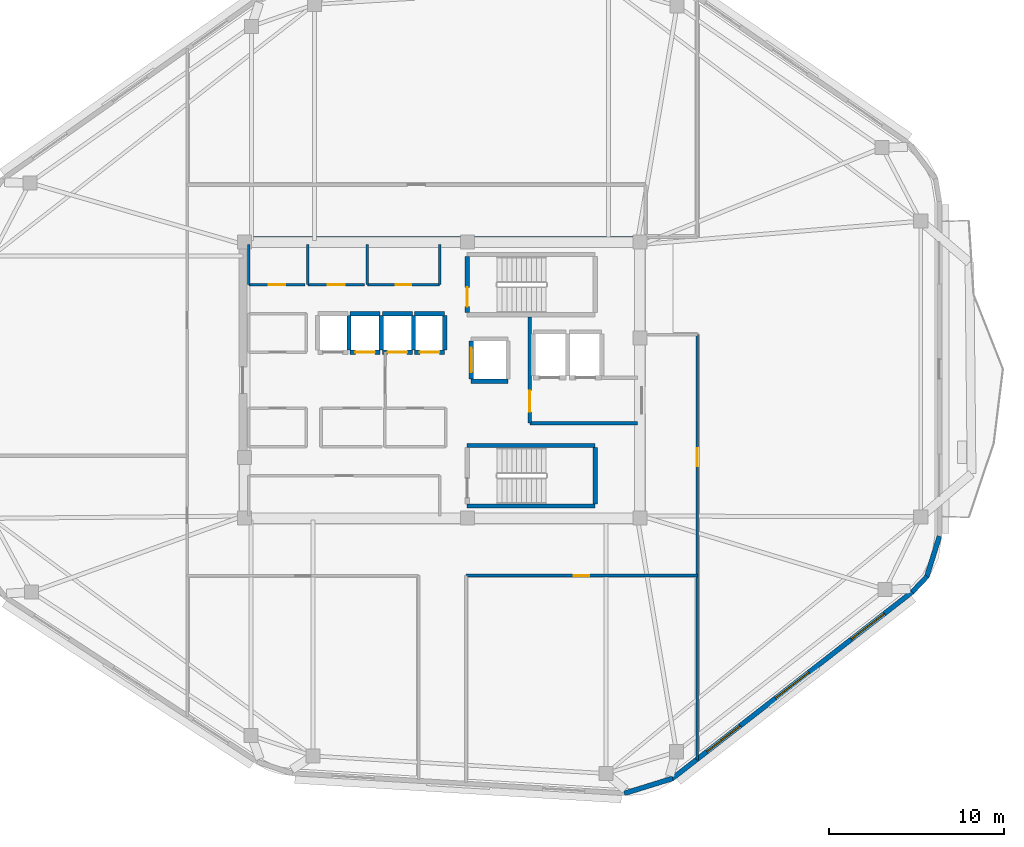
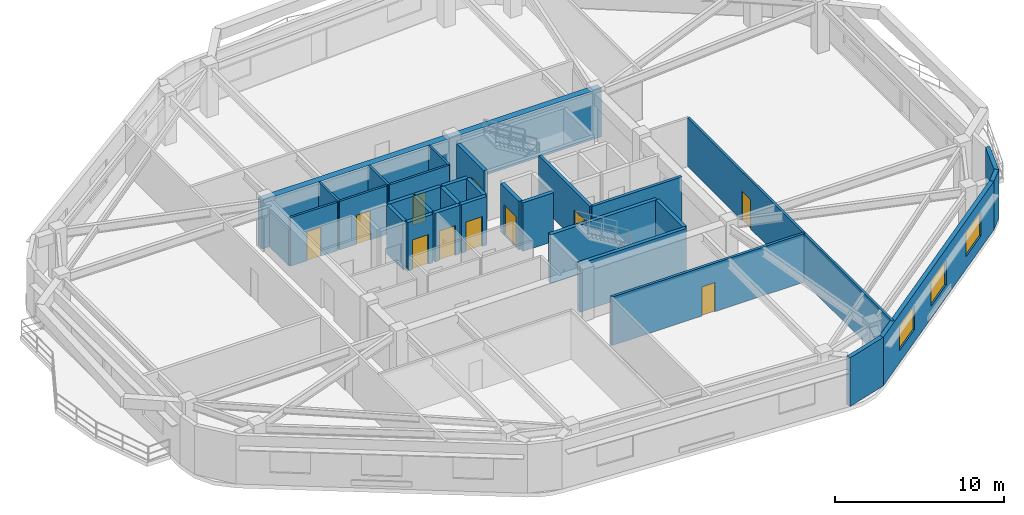
# One storey, part 4 of 9: 32 walls, 11 doors, 3 windows, 14 openings.
"""IFC4 building model written with IfcOpenShell, lengths in metres."""

from ifc_helpers import new_model, si_unit, direction, frame, frame_2d, origin, place, context, subcontext, project, spatial, rectangle, extrude, material, layer, layer_set, type_object, element, fill, save


model = new_model("IFC4")

# Units and contexts
model_context = context("Model", 3, precision=1e-05, world=origin(), true_north=direction((0.0, 1.0)))
body_context = subcontext(model_context, "Body", "Model", "MODEL_VIEW")
ifc_project = project(units=[si_unit("LENGTHUNIT", "METRE"), si_unit("AREAUNIT", "SQUARE_METRE"), si_unit("VOLUMEUNIT", "CUBIC_METRE"), si_unit("PLANEANGLEUNIT", "RADIAN"), si_unit("MASSUNIT", "GRAM", prefix="KILO")], contexts=[model_context])

# Site, building, storey
site_placement = place(None, origin())
site = spatial("IfcSite", under=ifc_project, at=site_placement, CompositionType="ELEMENT")
building_placement = place(site_placement, origin())
building = spatial("IfcBuilding", under=site, at=building_placement, Name="Zulverin Broadcast Headquarters", CompositionType="ELEMENT")
storey_placement = place(building_placement, frame((0.0, 0.0, 247.800048828125)))
storey = spatial("IfcBuildingStorey", under=building, at=storey_placement, Name="L63", CompositionType="ELEMENT", Elevation=247.800048828125)

# Wall
ifc_material_1 = material(Name="Concrete C50/60", Category="concrete")
ifc_layer_1 = layer(ifc_material_1, 0.449951171875, Name="Concrete C50/60", Category="concrete")
ifc_layer_set_1 = layer_set([ifc_layer_1], Name="Concrete C50/60")
wall_type_1 = type_object("IfcWallType", Name="WL-CORE-450", PredefinedType="SHEAR", material=ifc_layer_set_1)
wall_1_placement = place(storey_placement, frame((25.39990234375, 33.175048828125, 0.0), z_axis=(0.0, 0.0, 1.0), x_axis=(1.0, 0.0, 0.0)))
element("IfcWall", 1, at=wall_1_placement, inside=storey, type_object=wall_type_1, Name="L63 Core North Shear Wall", PredefinedType="SHEAR", context=body_context, shape_type="SweptSolid", body=[
    extrude(rectangle(XDim=23.2001953125, YDim=0.449951171875, at=frame_2d((11.60009765625, 0.0))), origin(), (0.0, 0.0, 1.0), 3.510009765625),
])

# Wall, openings, windows
ifc_material_2 = material(Name="Insulated pale-metal clad concrete spandrel C40/50", Category="concrete")
ifc_layer_2 = layer(ifc_material_2, 0.280029296875, Name="Insulated pale-metal clad concrete spandrel C40/50", Category="concrete")
ifc_layer_set_2 = layer_set([ifc_layer_2], Name="Insulated pale-metal clad concrete spandrel C40/50")
wall_type_2 = type_object("IfcWallType", Name="WL-EXT-280", PredefinedType="STANDARD", material=ifc_layer_set_2)
wall_2_placement = place(storey_placement, frame((50.10400390625, 2.458984375, 0.0), z_axis=(0.0, 0.0, 1.0), x_axis=(0.789464857485, 0.613795763097, 0.0)))
wall_2 = element("IfcWall", 2, at=wall_2_placement, inside=storey, type_object=wall_type_2, Name="L63 Pale-Metal Clad Spandrel Wall 2", PredefinedType="STANDARD", context=body_context, shape_type="SweptSolid", body=[
    extrude(rectangle(XDim=17.387451171875, YDim=0.280029296875, at=frame_2d((8.69384765625, 0.0))), origin(), (0.0, 0.0, 1.0), 3.510009765625),
])
opening_1_placement = place(wall_2_placement, frame((2.53125, 0.0, 0.89990234375)))
opening_1 = element("IfcOpeningElement", 3, at=opening_1_placement, cuts=wall_2, Name="Opening W-L63-E21", PredefinedType="OPENING", context=body_context, shape_type="SweptSolid", body=[
    extrude(rectangle(XDim=2.39990234375, YDim=1.75, at=frame_2d((1.199951171875, 0.875))), frame((0.0, 0.14990234375, 0.0), z_axis=(0.0, -1.0, 0.0), x_axis=(1.0, 0.0, 0.0)), (0.0, 0.0, 1.0), 0.300048828125),
])
opening_2_placement = place(wall_2_placement, frame((7.49365234375, 0.0, 0.89990234375)))
opening_2 = element("IfcOpeningElement", 4, at=opening_2_placement, cuts=wall_2, Name="Opening W-L63-E22", PredefinedType="OPENING", context=body_context, shape_type="SweptSolid", body=[
    extrude(rectangle(XDim=2.39990234375, YDim=1.75, at=frame_2d((1.199951171875, 0.875))), frame((0.0, 0.14990234375, 0.0), z_axis=(0.0, -1.0, 0.0), x_axis=(1.0, 0.0, 0.0)), (0.0, 0.0, 1.0), 0.300048828125),
])
opening_3_placement = place(wall_2_placement, frame((12.956298828125, 0.0, 0.89990234375)))
opening_3 = element("IfcOpeningElement", 5, at=opening_3_placement, cuts=wall_2, Name="Opening W-L63-E23", PredefinedType="OPENING", context=body_context, shape_type="SweptSolid", body=[
    extrude(rectangle(XDim=2.39990234375, YDim=1.75, at=frame_2d((1.199951171875, 0.875))), frame((0.0, 0.14990234375, 0.0), z_axis=(0.0, -1.0, 0.0), x_axis=(1.0, 0.0, 0.0)), (0.0, 0.0, 1.0), 0.300048828125),
])
ifc_material_3 = material(Name="Pale anodized aluminium frame with solar-control low-E double glazing", Category="aluminium")
window_type = type_object("IfcWindowType", Name="WIN-RIB-2400", PartitioningType="SINGLE_PANEL", PredefinedType="WINDOW", material=ifc_material_3)
window_1_placement = place(opening_1_placement, origin())
window_1 = element("IfcWindow", 6, at=window_1_placement, inside=storey, type_object=window_type, Name="L63 Ribbon Glazing Window 2 1", OverallHeight=1.75, OverallWidth=2.39990234375, PartitioningType="SINGLE_PANEL", PredefinedType="WINDOW", context=body_context, shape_type="SweptSolid", body=[
    extrude(rectangle(XDim=2.39990234375, YDim=1.75, at=frame_2d((1.199951171875, 0.875))), frame((0.0, 0.030029296875, 0.0), z_axis=(0.0, -1.0, 0.0), x_axis=(1.0, 0.0, 0.0)), (0.0, 0.0, 1.0), 0.06005859375),
])
fill(opening_1, window_1)
window_2_placement = place(opening_2_placement, origin())
window_2 = element("IfcWindow", 7, at=window_2_placement, inside=storey, type_object=window_type, Name="L63 Ribbon Glazing Window 2 2", OverallHeight=1.75, OverallWidth=2.39990234375, PartitioningType="SINGLE_PANEL", PredefinedType="WINDOW", context=body_context, shape_type="SweptSolid", body=[
    extrude(rectangle(XDim=2.39990234375, YDim=1.75, at=frame_2d((1.199951171875, 0.875))), frame((0.0, 0.030029296875, 0.0), z_axis=(0.0, -1.0, 0.0), x_axis=(1.0, 0.0, 0.0)), (0.0, 0.0, 1.0), 0.06005859375),
])
fill(opening_2, window_2)
window_3_placement = place(opening_3_placement, origin())
window_3 = element("IfcWindow", 8, at=window_3_placement, inside=storey, type_object=window_type, Name="L63 Ribbon Glazing Window 2 3", OverallHeight=1.75, OverallWidth=2.39990234375, PartitioningType="SINGLE_PANEL", PredefinedType="WINDOW", context=body_context, shape_type="SweptSolid", body=[
    extrude(rectangle(XDim=2.39990234375, YDim=1.75, at=frame_2d((1.199951171875, 0.875))), frame((0.0, 0.030029296875, 0.0), z_axis=(0.0, -1.0, 0.0), x_axis=(1.0, 0.0, 0.0)), (0.0, 0.0, 1.0), 0.06005859375),
])
fill(opening_3, window_3)

# Walls
wall_3_placement = place(storey_placement, frame((47.38623046875, 1.626220703125, 0.0), z_axis=(0.0, 0.0, 1.0), x_axis=(0.955189316149, 0.29599555793, 0.0)))
element("IfcWall", 9, at=wall_3_placement, inside=storey, type_object=wall_type_2, Name="L63 Wind-Shaped Corner Spandrel Wall 1-1", PredefinedType="STANDARD", context=body_context, shape_type="SweptSolid", body=[
    extrude(rectangle(XDim=2.891845703125, YDim=0.280029296875, at=frame_2d((1.44580078125, 0.0))), origin(), (0.0, 0.0, 1.0), 3.510009765625),
])
wall_4_placement = place(storey_placement, frame((63.81494140625, 13.1171875, 0.0), z_axis=(0.0, 0.0, 1.0), x_axis=(0.687733716128, 0.725963040176, 0.0)))
element("IfcWall", 10, at=wall_4_placement, inside=storey, type_object=wall_type_2, Name="L63 Wind-Shaped Corner Spandrel Wall 2-1", PredefinedType="STANDARD", context=body_context, shape_type="SweptSolid", body=[
    extrude(rectangle(XDim=1.239013671875, YDim=0.280029296875, at=frame_2d((0.61962890625, 0.0))), origin(), (0.0, 0.0, 1.0), 3.510009765625),
])
wall_5_placement = place(storey_placement, frame((64.635009765625, 13.962158203125, 0.0), z_axis=(0.0, 0.0, 1.0), x_axis=(0.298649578722, 0.954362839348, 0.0)))
element("IfcWall", 11, at=wall_5_placement, inside=storey, type_object=wall_type_2, Name="L63 Wind-Shaped Corner Spandrel Wall 2-2", PredefinedType="STANDARD", context=body_context, shape_type="SweptSolid", body=[
    extrude(rectangle(XDim=2.44921875, YDim=0.280029296875, at=frame_2d((1.224609375, 0.0))), origin(), (0.0, 0.0, 1.0), 3.510009765625),
])

# Wall, opening, door
ifc_material_4 = material(Name="Concrete C40/50", Category="concrete")
ifc_layer_3 = layer(ifc_material_4, 0.199951171875, Name="Concrete C40/50", Category="concrete")
ifc_layer_set_3 = layer_set([ifc_layer_3], Name="Concrete C40/50")
wall_type_3 = type_object("IfcWallType", Name="WL-FFL-200", PredefinedType="SOLIDWALL", material=ifc_layer_set_3)
wall_6_placement = place(storey_placement, frame((42.0, 22.75, 0.0), z_axis=(0.0, 0.0, 1.0), x_axis=(0.0, 1.0, 0.0)))
wall_6 = element("IfcWall", 12, at=wall_6_placement, inside=storey, type_object=wall_type_3, Name="L63 Firefighting Lift Lobby West Wall", PredefinedType="SOLIDWALL", context=body_context, shape_type="SweptSolid", body=[
    extrude(rectangle(XDim=6.050048828125, YDim=0.199951171875, at=frame_2d((3.02490234375, 0.0))), origin(), (0.0, 0.0, 1.0), 3.510009765625),
])
opening_4_placement = place(wall_6_placement, frame((0.64990234375, 0.0, 0.0)))
opening_4 = element("IfcOpeningElement", 13, at=opening_4_placement, cuts=wall_6, Name="Opening D-L63-FFLW", PredefinedType="OPENING", context=body_context, shape_type="SweptSolid", body=[
    extrude(rectangle(XDim=1.199951171875, YDim=2.14990234375, at=frame_2d((0.60009765625, 1.074951171875))), frame((0.0, 0.10986328125, 0.0), z_axis=(0.0, -1.0, 0.0), x_axis=(1.0, 0.0, 0.0)), (0.0, 0.0, 1.0), 0.219970703125),
])
ifc_material_5 = material(Name="Fire-rated steel leaf and frame", Category="steel")
door_type_1 = type_object("IfcDoorType", Name="DR-FFL-1200", OperationType="SINGLE_SWING_RIGHT", PredefinedType="DOOR", material=ifc_material_5)
door_1_placement = place(opening_4_placement, origin())
door_1 = element("IfcDoor", 14, at=door_1_placement, inside=storey, type_object=door_type_1, Name="L63 Firefighting Lift Lobby Door", OperationType="SINGLE_SWING_RIGHT", OverallHeight=2.14990234375, OverallWidth=1.199951171875, PredefinedType="DOOR", context=body_context, shape_type="SweptSolid", body=[
    extrude(rectangle(XDim=1.199951171875, YDim=2.14990234375, at=frame_2d((0.60009765625, 1.074951171875))), frame((0.0, 0.02490234375, 0.0), z_axis=(0.0, -1.0, 0.0), x_axis=(1.0, 0.0, 0.0)), (0.0, 0.0, 1.0), 0.050048828125),
])
fill(opening_4, door_1)

# Wall
wall_7_placement = place(storey_placement, frame((42.0, 22.75, 0.0), z_axis=(0.0, 0.0, 1.0), x_axis=(1.0, 0.0, 0.0)))
element("IfcWall", 15, at=wall_7_placement, inside=storey, type_object=wall_type_3, Name="L63 Firefighting Lift Lobby South Wall", PredefinedType="SOLIDWALL", context=body_context, shape_type="SweptSolid", body=[
    extrude(rectangle(XDim=6.14990234375, YDim=0.199951171875, at=frame_2d((3.074951171875, 0.0))), origin(), (0.0, 0.0, 1.0), 3.510009765625),
])

# Wall, opening, door
ifc_material_6 = material(Name="Fire-rated gypsum stud partition", Category="gypsum")
ifc_layer_4 = layer(ifc_material_6, 0.14990234375, Name="Fire-rated gypsum stud partition", Category="gypsum")
ifc_layer_set_4 = layer_set([ifc_layer_4], Name="Fire-rated gypsum stud partition")
wall_type_4 = type_object("IfcWallType", Name="WL-PART-150", PredefinedType="PARTITIONING", material=ifc_layer_set_4)
wall_8_placement = place(storey_placement, frame((25.969970703125, 30.64990234375, 0.0), z_axis=(0.0, 0.0, 1.0), x_axis=(1.0, 0.0, 0.0)))
wall_8 = element("IfcWall", 16, at=wall_8_placement, inside=storey, type_object=wall_type_4, Name="L63 Core Accessible WC Front Wall", PredefinedType="PARTITIONING", context=body_context, shape_type="SweptSolid", body=[
    extrude(rectangle(XDim=3.199951171875, YDim=0.14990234375, at=frame_2d((1.60009765625, 0.0))), origin(), (0.0, 0.0, 1.0), 3.510009765625),
])
opening_5_placement = place(wall_8_placement, frame((1.125, 0.0, 0.0)))
opening_5 = element("IfcOpeningElement", 17, at=opening_5_placement, cuts=wall_8, Name="Opening D-L63-NC1", PredefinedType="OPENING", context=body_context, shape_type="SweptSolid", body=[
    extrude(rectangle(XDim=0.949951171875, YDim=2.10009765625, at=frame_2d((0.47509765625, 1.050048828125))), frame((0.0, 0.0849609375, 0.0), z_axis=(0.0, -1.0, 0.0), x_axis=(1.0, 0.0, 0.0)), (0.0, 0.0, 1.0), 0.169921875),
])
ifc_material_7 = material(Name="Fire-rated moisture-resistant laminate leaf", Category="wood")
door_type_2 = type_object("IfcDoorType", Name="DR-WC-950", OperationType="SINGLE_SWING_LEFT", PredefinedType="DOOR", material=ifc_material_7)
door_2_placement = place(opening_5_placement, origin())
door_2 = element("IfcDoor", 18, at=door_2_placement, inside=storey, type_object=door_type_2, Name="L63 Accessible WC Door", OperationType="SINGLE_SWING_LEFT", OverallHeight=2.10009765625, OverallWidth=0.949951171875, PredefinedType="DOOR", context=body_context, shape_type="SweptSolid", body=[
    extrude(rectangle(XDim=0.949951171875, YDim=2.10009765625, at=frame_2d((0.47509765625, 1.050048828125))), frame((0.0, 0.02490234375, 0.0), z_axis=(0.0, -1.0, 0.0), x_axis=(1.0, 0.0, 0.0)), (0.0, 0.0, 1.0), 0.050048828125),
])
fill(opening_5, door_2)

# Wall
wall_9_placement = place(storey_placement, frame((25.969970703125, 30.64990234375, 0.0), z_axis=(0.0, 0.0, 1.0), x_axis=(0.0, 1.0, 0.0)))
element("IfcWall", 19, at=wall_9_placement, inside=storey, type_object=wall_type_4, Name="L63 Core Accessible WC West Wall", PredefinedType="PARTITIONING", context=body_context, shape_type="SweptSolid", body=[
    extrude(rectangle(XDim=2.300048828125, YDim=0.14990234375, at=frame_2d((1.14990234375, 0.0))), origin(), (0.0, 0.0, 1.0), 2.60986328125),
])

# Wall, opening, door
wall_10_placement = place(storey_placement, frame((29.330078125, 30.64990234375, 0.0), z_axis=(0.0, 0.0, 1.0), x_axis=(1.0, 0.0, 0.0)))
wall_10 = element("IfcWall", 20, at=wall_10_placement, inside=storey, type_object=wall_type_4, Name="L63 Core Male WC Front Wall", PredefinedType="PARTITIONING", context=body_context, shape_type="SweptSolid", body=[
    extrude(rectangle(XDim=3.239990234375, YDim=0.14990234375, at=frame_2d((1.6201171875, 0.0))), origin(), (0.0, 0.0, 1.0), 3.510009765625),
])
opening_6_placement = place(wall_10_placement, frame((1.14501953125, 0.0, 0.0)))
opening_6 = element("IfcOpeningElement", 21, at=opening_6_placement, cuts=wall_10, Name="Opening D-L63-NC2", PredefinedType="OPENING", context=body_context, shape_type="SweptSolid", body=[
    extrude(rectangle(XDim=0.949951171875, YDim=2.10009765625, at=frame_2d((0.47509765625, 1.050048828125))), frame((0.0, 0.0849609375, 0.0), z_axis=(0.0, -1.0, 0.0), x_axis=(1.0, 0.0, 0.0)), (0.0, 0.0, 1.0), 0.169921875),
])
door_3_placement = place(opening_6_placement, origin())
door_3 = element("IfcDoor", 22, at=door_3_placement, inside=storey, type_object=door_type_2, Name="L63 Male WC Door", OperationType="SINGLE_SWING_RIGHT", OverallHeight=2.10009765625, OverallWidth=0.949951171875, PredefinedType="DOOR", context=body_context, shape_type="SweptSolid", body=[
    extrude(rectangle(XDim=0.949951171875, YDim=2.10009765625, at=frame_2d((0.47509765625, 1.050048828125))), frame((0.0, 0.02490234375, 0.0), z_axis=(0.0, -1.0, 0.0), x_axis=(1.0, 0.0, 0.0)), (0.0, 0.0, 1.0), 0.050048828125),
])
fill(opening_6, door_3)

# Wall
wall_11_placement = place(storey_placement, frame((29.330078125, 30.64990234375, 0.0), z_axis=(0.0, 0.0, 1.0), x_axis=(0.0, 1.0, 0.0)))
element("IfcWall", 23, at=wall_11_placement, inside=storey, type_object=wall_type_4, Name="L63 Core Male WC West Wall", PredefinedType="PARTITIONING", context=body_context, shape_type="SweptSolid", body=[
    extrude(rectangle(XDim=2.300048828125, YDim=0.14990234375, at=frame_2d((1.14990234375, 0.0))), origin(), (0.0, 0.0, 1.0), 3.510009765625),
])

# Wall, opening, door
wall_12_placement = place(storey_placement, frame((32.72998046875, 30.64990234375, 0.0), z_axis=(0.0, 0.0, 1.0), x_axis=(1.0, 0.0, 0.0)))
wall_12 = element("IfcWall", 24, at=wall_12_placement, inside=storey, type_object=wall_type_4, Name="L63 Core Electrical Switch Riser Front Wall", PredefinedType="PARTITIONING", context=body_context, shape_type="SweptSolid", body=[
    extrude(rectangle(XDim=4.1201171875, YDim=0.14990234375, at=frame_2d((2.06005859375, 0.0))), origin(), (0.0, 0.0, 1.0), 3.510009765625),
])
opening_7_placement = place(wall_12_placement, frame((1.610107421875, 0.0, 0.0)))
opening_7 = element("IfcOpeningElement", 25, at=opening_7_placement, cuts=wall_12, Name="Opening D-L63-NC3", PredefinedType="OPENING", context=body_context, shape_type="SweptSolid", body=[
    extrude(rectangle(XDim=0.89990234375, YDim=2.10009765625, at=frame_2d((0.449951171875, 1.050048828125))), frame((0.0, 0.0849609375, 0.0), z_axis=(0.0, -1.0, 0.0), x_axis=(1.0, 0.0, 0.0)), (0.0, 0.0, 1.0), 0.169921875),
])
ifc_material_8 = material(Name="Powder-coated steel access leaf", Category="steel")
door_type_3 = type_object("IfcDoorType", Name="DR-RISER-900", OperationType="SINGLE_SWING_LEFT", PredefinedType="DOOR", material=ifc_material_8)
door_4_placement = place(opening_7_placement, origin())
door_4 = element("IfcDoor", 26, at=door_4_placement, inside=storey, type_object=door_type_3, Name="L63 Electrical Switch Riser Door", OperationType="SINGLE_SWING_LEFT", OverallHeight=2.10009765625, OverallWidth=0.89990234375, PredefinedType="DOOR", context=body_context, shape_type="SweptSolid", body=[
    extrude(rectangle(XDim=0.89990234375, YDim=2.10009765625, at=frame_2d((0.449951171875, 1.050048828125))), frame((0.0, 0.02490234375, 0.0), z_axis=(0.0, -1.0, 0.0), x_axis=(1.0, 0.0, 0.0)), (0.0, 0.0, 1.0), 0.050048828125),
])
fill(opening_7, door_4)

# Walls
for number, where, z_axis, x_axis, name in (
    (27, (32.72998046875, 30.64990234375, 0.0), (0.0, 0.0, 1.0), (0.0, 1.0, 0.0), "L63 Core Electrical Switch Riser West Wall"),
    (28, (36.85009765625, 30.64990234375, 0.0), (0.0, 0.0, 1.0), (0.0, 1.0, 0.0), "L63 Core Electrical Switch Riser East Wall"),
):
    element("IfcWall", number, at=place(storey_placement, frame(where, z_axis=z_axis, x_axis=x_axis)), inside=storey, type_object=wall_type_4, Name=name, PredefinedType="PARTITIONING", context=body_context, shape_type="SweptSolid", body=[
        extrude(rectangle(XDim=2.300048828125, YDim=0.14990234375, at=frame_2d((1.14990234375, 0.0))), origin(), (0.0, 0.0, 1.0), 3.510009765625),
    ])

# Wall, opening, door
wall_13_placement = place(storey_placement, frame((51.550048828125, 3.5458984375, 0.0), z_axis=(0.0, 0.0, 1.0), x_axis=(0.0, 1.0, 0.0)))
wall_13 = element("IfcWall", 29, at=wall_13_placement, inside=storey, type_object=wall_type_4, Name="L63 Gallery Partition Wall CG-01", PredefinedType="PARTITIONING", context=body_context, shape_type="SweptSolid", body=[
    extrude(rectangle(XDim=24.254150390625, YDim=0.14990234375, at=frame_2d((12.126953125, 0.0))), origin(), (0.0, 0.0, 1.0), 3.510009765625),
])
opening_8_placement = place(wall_13_placement, frame((16.759033203125, 0.0, 0.0)))
opening_8 = element("IfcOpeningElement", 30, at=opening_8_placement, cuts=wall_13, Name="Opening D-L63-06", PredefinedType="OPENING", context=body_context, shape_type="SweptSolid", body=[
    extrude(rectangle(XDim=1.0, YDim=2.1201171875, at=frame_2d((0.5, 1.06005859375))), frame((0.0, 0.0849609375, 0.0), z_axis=(0.0, -1.0, 0.0), x_axis=(1.0, 0.0, 0.0)), (0.0, 0.0, 1.0), 0.169921875),
])
ifc_material_9 = material(Name="Hardwood veneer acoustic leaf", Category="wood")
door_type_4 = type_object("IfcDoorType", Name="DR-OFF-1000", OperationType="SINGLE_SWING_LEFT", PredefinedType="DOOR", material=ifc_material_9)
door_5_placement = place(opening_8_placement, origin())
door_5 = element("IfcDoor", 31, at=door_5_placement, inside=storey, type_object=door_type_4, Name="L63 Global Broadcast Command Workplace Door", OperationType="SINGLE_SWING_LEFT", OverallHeight=2.1201171875, OverallWidth=1.0, PredefinedType="DOOR", context=body_context, shape_type="SweptSolid", body=[
    extrude(rectangle(XDim=1.0, YDim=2.1201171875, at=frame_2d((0.5, 1.06005859375))), frame((0.0, 0.02490234375, 0.0), z_axis=(0.0, -1.0, 0.0), x_axis=(1.0, 0.0, 0.0)), (0.0, 0.0, 1.0), 0.050048828125),
])
fill(opening_8, door_5)

ifc_material_10 = material(Name="Fire-rated acoustic stud wall", Category="gypsum")
ifc_layer_5 = layer(ifc_material_10, 0.175048828125, Name="Fire-rated acoustic stud wall", Category="gypsum")
ifc_layer_set_5 = layer_set([ifc_layer_5], Name="Fire-rated acoustic stud wall")
wall_type_5 = type_object("IfcWallType", Name="WL-PART-175", PredefinedType="PARTITIONING", material=ifc_layer_set_5)
wall_14_placement = place(storey_placement, frame((38.35009765625, 14.050048828125, 0.0), z_axis=(0.0, 0.0, 1.0), x_axis=(1.0, 0.0, 0.0)))
wall_14 = element("IfcWall", 32, at=wall_14_placement, inside=storey, type_object=wall_type_5, Name="L63 Gallery Partition Wall CG-08", PredefinedType="PARTITIONING", context=body_context, shape_type="SweptSolid", body=[
    extrude(rectangle(XDim=13.199951171875, YDim=0.175048828125, at=frame_2d((6.60009765625, 0.0))), origin(), (0.0, 0.0, 1.0), 3.510009765625),
])
opening_9_placement = place(wall_14_placement, frame((6.14990234375, 0.0, 0.0)))
opening_9 = element("IfcOpeningElement", 33, at=opening_9_placement, cuts=wall_14, Name="Opening D-L63-03", PredefinedType="OPENING", context=body_context, shape_type="SweptSolid", body=[
    extrude(rectangle(XDim=0.89990234375, YDim=2.10009765625, at=frame_2d((0.449951171875, 1.050048828125))), frame((0.0, 0.097412109375, 0.0), z_axis=(0.0, -1.0, 0.0), x_axis=(1.0, 0.0, 0.0)), (0.0, 0.0, 1.0), 0.195068359375),
])
ifc_material_11 = material(Name="Fire-rated hardwood veneer timber leaf", Category="wood")
door_type_5 = type_object("IfcDoorType", Name="DR-ROOM-900", OperationType="SINGLE_SWING_RIGHT", PredefinedType="DOOR", material=ifc_material_11)
door_6_placement = place(opening_9_placement, origin())
door_6 = element("IfcDoor", 34, at=door_6_placement, inside=storey, type_object=door_type_5, Name="L63 Diplomatic Conference Room Door", OperationType="SINGLE_SWING_RIGHT", OverallHeight=2.10009765625, OverallWidth=0.89990234375, PredefinedType="DOOR", context=body_context, shape_type="SweptSolid", body=[
    extrude(rectangle(XDim=0.89990234375, YDim=2.10009765625, at=frame_2d((0.449951171875, 1.050048828125))), frame((0.0, 0.02490234375, 0.0), z_axis=(0.0, -1.0, 0.0), x_axis=(1.0, 0.0, 0.0)), (0.0, 0.0, 1.0), 0.050048828125),
])
fill(opening_9, door_6)

ifc_layer_6 = layer(ifc_material_1, 0.25, Name="Concrete C50/60", Category="concrete")
ifc_layer_set_6 = layer_set([ifc_layer_6], Name="Concrete C50/60")
wall_type_6 = type_object("IfcWallType", Name="WL-SHAFT-250", PredefinedType="SHEAR", material=ifc_layer_set_6)
wall_15_placement = place(storey_placement, frame((38.425048828125, 29.050048828125, 0.0), z_axis=(0.0, 0.0, 1.0), x_axis=(0.0, 1.0, 0.0)))
wall_15 = element("IfcWall", 35, at=wall_15_placement, inside=storey, type_object=wall_type_6, Name="L63 ST-1 Enclosure Wall W", PredefinedType="SHEAR", context=body_context, shape_type="SweptSolid", body=[
    extrude(rectangle(XDim=3.199951171875, YDim=0.25, at=frame_2d((1.60009765625, 0.0))), origin(), (0.0, 0.0, 1.0), 3.510009765625),
])
opening_10_placement = place(wall_15_placement, frame((0.35009765625, 0.0, 0.0)))
opening_10 = element("IfcOpeningElement", 36, at=opening_10_placement, cuts=wall_15, Name="Opening D-L63-ST-1", PredefinedType="OPENING", context=body_context, shape_type="SweptSolid", body=[
    extrude(rectangle(XDim=1.10009765625, YDim=2.14990234375, at=frame_2d((0.550048828125, 1.074951171875))), frame((0.0, 0.135009765625, 0.0), z_axis=(0.0, -1.0, 0.0), x_axis=(1.0, 0.0, 0.0)), (0.0, 0.0, 1.0), 0.27001953125),
])
door_type_6 = type_object("IfcDoorType", Name="DR-STAIR-1100", OperationType="SINGLE_SWING_LEFT", PredefinedType="DOOR", material=ifc_material_5)
door_7_placement = place(opening_10_placement, origin())
door_7 = element("IfcDoor", 37, at=door_7_placement, inside=storey, type_object=door_type_6, Name="L63 Exit Stair ST-1 Fire Door", OperationType="SINGLE_SWING_LEFT", OverallHeight=2.14990234375, OverallWidth=1.10009765625, PredefinedType="DOOR", context=body_context, shape_type="SweptSolid", body=[
    extrude(rectangle(XDim=1.10009765625, YDim=2.14990234375, at=frame_2d((0.550048828125, 1.074951171875))), frame((0.0, 0.02490234375, 0.0), z_axis=(0.0, -1.0, 0.0), x_axis=(1.0, 0.0, 0.0)), (0.0, 0.0, 1.0), 0.050048828125),
])
fill(opening_10, door_7)

# Walls
for number, where, z_axis, x_axis, name in (
    (38, (38.425048828125, 18.02490234375, 0.0), (0.0, 0.0, 1.0), (1.0, 0.0, 0.0), "L63 ST-2 Enclosure Wall S"),
    (39, (38.425048828125, 21.47509765625, 0.0), (0.0, 0.0, 1.0), (1.0, 0.0, 0.0), "L63 ST-2 Enclosure Wall N"),
):
    element("IfcWall", number, at=place(storey_placement, frame(where, z_axis=z_axis, x_axis=x_axis)), inside=storey, type_object=wall_type_6, Name=name, PredefinedType="SHEAR", context=body_context, shape_type="SweptSolid", body=[
        extrude(rectangle(XDim=7.300048828125, YDim=0.25, at=frame_2d((3.64990234375, 0.0))), origin(), (0.0, 0.0, 1.0), 3.510009765625),
    ])
wall_16_placement = place(storey_placement, frame((45.72509765625, 18.14990234375, 0.0), z_axis=(0.0, 0.0, 1.0), x_axis=(0.0, 1.0, 0.0)))
element("IfcWall", 40, at=wall_16_placement, inside=storey, type_object=wall_type_6, Name="L63 ST-2 Enclosure Wall E", PredefinedType="SHEAR", context=body_context, shape_type="SweptSolid", body=[
    extrude(rectangle(XDim=3.2001953125, YDim=0.25, at=frame_2d((1.60009765625, 0.0))), origin(), (0.0, 0.0, 1.0), 3.510009765625),
])
wall_17_placement = place(storey_placement, frame((31.679931640625, 26.919921875, 0.0), z_axis=(0.0, 0.0, 1.0), x_axis=(0.0, 1.0, 0.0)))
element("IfcWall", 41, at=wall_17_placement, inside=storey, type_object=wall_type_6, Name="L63 Lift PL-H1 Shaft Wall E", PredefinedType="SHEAR", context=body_context, shape_type="SweptSolid", body=[
    extrude(rectangle(XDim=1.9599609375, YDim=0.25, at=frame_2d((0.97998046875, 0.0))), origin(), (0.0, 0.0, 1.0), 3.510009765625),
])

# Wall, opening, door
wall_18_placement = place(storey_placement, frame((31.739990234375, 26.800048828125, 0.0), z_axis=(0.0, 0.0, 1.0), x_axis=(1.0, 0.0, 0.0)))
wall_18 = element("IfcWall", 42, at=wall_18_placement, inside=storey, type_object=wall_type_6, Name="L63 Lift PL-H2 Shaft Wall S", PredefinedType="SHEAR", context=body_context, shape_type="SweptSolid", body=[
    extrude(rectangle(XDim=1.719970703125, YDim=0.25, at=frame_2d((0.85986328125, 0.0))), origin(), (0.0, 0.0, 1.0), 3.510009765625),
])
opening_11_placement = place(wall_18_placement, frame((0.31005859375, 0.0, 0.0)))
opening_11 = element("IfcOpeningElement", 43, at=opening_11_placement, cuts=wall_18, Name="Opening LD-PL-H2-L63", PredefinedType="OPENING", context=body_context, shape_type="SweptSolid", body=[
    extrude(rectangle(XDim=1.10009765625, YDim=2.14990234375, at=frame_2d((0.550048828125, 1.074951171875))), frame((0.0, 0.135009765625, 0.0), z_axis=(0.0, -1.0, 0.0), x_axis=(1.0, 0.0, 0.0)), (0.0, 0.0, 1.0), 0.27001953125),
])
ifc_material_12 = material(Name="Brushed stainless steel landing", Category="steel")
door_type_7 = type_object("IfcDoorType", Name="LD-PASS-1100", OperationType="DOUBLE_DOOR_SLIDING", PredefinedType="DOOR", material=ifc_material_12)
door_8_placement = place(opening_11_placement, origin())
door_8 = element("IfcDoor", 44, at=door_8_placement, inside=storey, type_object=door_type_7, Name="L63 Lift PL-H2 Sliding Landing Door", OperationType="DOUBLE_DOOR_SLIDING", OverallHeight=2.14990234375, OverallWidth=1.10009765625, PredefinedType="DOOR", context=body_context, shape_type="SweptSolid", body=[
    extrude(rectangle(XDim=1.10009765625, YDim=2.14990234375, at=frame_2d((0.550048828125, 1.074951171875))), frame((0.0, 0.02490234375, 0.0), z_axis=(0.0, -1.0, 0.0), x_axis=(1.0, 0.0, 0.0)), (0.0, 0.0, 1.0), 0.050048828125),
])
fill(opening_11, door_8)

# Walls
wall_19_placement = place(storey_placement, frame((31.739990234375, 29.0, 0.0), z_axis=(0.0, 0.0, 1.0), x_axis=(1.0, 0.0, 0.0)))
element("IfcWall", 45, at=wall_19_placement, inside=storey, type_object=wall_type_6, Name="L63 Lift PL-H2 Shaft Wall N", PredefinedType="SHEAR", context=body_context, shape_type="SweptSolid", body=[
    extrude(rectangle(XDim=1.719970703125, YDim=0.25, at=frame_2d((0.85986328125, 0.0))), origin(), (0.0, 0.0, 1.0), 3.510009765625),
])
wall_20_placement = place(storey_placement, frame((33.52001953125, 26.919921875, 0.0), z_axis=(0.0, 0.0, 1.0), x_axis=(0.0, 1.0, 0.0)))
element("IfcWall", 46, at=wall_20_placement, inside=storey, type_object=wall_type_6, Name="L63 Lift PL-H2 Shaft Wall E", PredefinedType="SHEAR", context=body_context, shape_type="SweptSolid", body=[
    extrude(rectangle(XDim=1.9599609375, YDim=0.25, at=frame_2d((0.97998046875, 0.0))), origin(), (0.0, 0.0, 1.0), 3.510009765625),
])

# Wall, opening, door
wall_21_placement = place(storey_placement, frame((33.580078125, 26.800048828125, 0.0), z_axis=(0.0, 0.0, 1.0), x_axis=(1.0, 0.0, 0.0)))
wall_21 = element("IfcWall", 47, at=wall_21_placement, inside=storey, type_object=wall_type_6, Name="L63 Lift PL-H3 Shaft Wall S", PredefinedType="SHEAR", context=body_context, shape_type="SweptSolid", body=[
    extrude(rectangle(XDim=1.719970703125, YDim=0.25, at=frame_2d((0.85986328125, 0.0))), origin(), (0.0, 0.0, 1.0), 3.510009765625),
])
opening_12_placement = place(wall_21_placement, frame((0.31005859375, 0.0, 0.0)))
opening_12 = element("IfcOpeningElement", 48, at=opening_12_placement, cuts=wall_21, Name="Opening LD-PL-H3-L63", PredefinedType="OPENING", context=body_context, shape_type="SweptSolid", body=[
    extrude(rectangle(XDim=1.10009765625, YDim=2.14990234375, at=frame_2d((0.550048828125, 1.074951171875))), frame((0.0, 0.135009765625, 0.0), z_axis=(0.0, -1.0, 0.0), x_axis=(1.0, 0.0, 0.0)), (0.0, 0.0, 1.0), 0.27001953125),
])
door_9_placement = place(opening_12_placement, origin())
door_9 = element("IfcDoor", 49, at=door_9_placement, inside=storey, type_object=door_type_7, Name="L63 Lift PL-H3 Sliding Landing Door", OperationType="DOUBLE_DOOR_SLIDING", OverallHeight=2.14990234375, OverallWidth=1.10009765625, PredefinedType="DOOR", context=body_context, shape_type="SweptSolid", body=[
    extrude(rectangle(XDim=1.10009765625, YDim=2.14990234375, at=frame_2d((0.550048828125, 1.074951171875))), frame((0.0, 0.02490234375, 0.0), z_axis=(0.0, -1.0, 0.0), x_axis=(1.0, 0.0, 0.0)), (0.0, 0.0, 1.0), 0.050048828125),
])
fill(opening_12, door_9)

# Walls
wall_22_placement = place(storey_placement, frame((33.580078125, 29.0, 0.0), z_axis=(0.0, 0.0, 1.0), x_axis=(1.0, 0.0, 0.0)))
element("IfcWall", 50, at=wall_22_placement, inside=storey, type_object=wall_type_6, Name="L63 Lift PL-H3 Shaft Wall N", PredefinedType="SHEAR", context=body_context, shape_type="SweptSolid", body=[
    extrude(rectangle(XDim=1.719970703125, YDim=0.25, at=frame_2d((0.85986328125, 0.0))), origin(), (0.0, 0.0, 1.0), 3.510009765625),
])
wall_23_placement = place(storey_placement, frame((35.360107421875, 26.919921875, 0.0), z_axis=(0.0, 0.0, 1.0), x_axis=(0.0, 1.0, 0.0)))
element("IfcWall", 51, at=wall_23_placement, inside=storey, type_object=wall_type_6, Name="L63 Lift PL-H3 Shaft Wall E", PredefinedType="SHEAR", context=body_context, shape_type="SweptSolid", body=[
    extrude(rectangle(XDim=1.9599609375, YDim=0.25, at=frame_2d((0.97998046875, 0.0))), origin(), (0.0, 0.0, 1.0), 3.510009765625),
])

# Wall, opening, door
wall_24_placement = place(storey_placement, frame((35.419921875, 26.800048828125, 0.0), z_axis=(0.0, 0.0, 1.0), x_axis=(1.0, 0.0, 0.0)))
wall_24 = element("IfcWall", 52, at=wall_24_placement, inside=storey, type_object=wall_type_6, Name="L63 Lift PL-H4 Shaft Wall S", PredefinedType="SHEAR", context=body_context, shape_type="SweptSolid", body=[
    extrude(rectangle(XDim=1.719970703125, YDim=0.25, at=frame_2d((0.85986328125, 0.0))), origin(), (0.0, 0.0, 1.0), 3.510009765625),
])
opening_13_placement = place(wall_24_placement, frame((0.31005859375, 0.0, 0.0)))
opening_13 = element("IfcOpeningElement", 53, at=opening_13_placement, cuts=wall_24, Name="Opening LD-PL-H4-L63", PredefinedType="OPENING", context=body_context, shape_type="SweptSolid", body=[
    extrude(rectangle(XDim=1.10009765625, YDim=2.14990234375, at=frame_2d((0.550048828125, 1.074951171875))), frame((0.0, 0.135009765625, 0.0), z_axis=(0.0, -1.0, 0.0), x_axis=(1.0, 0.0, 0.0)), (0.0, 0.0, 1.0), 0.27001953125),
])
door_10_placement = place(opening_13_placement, origin())
door_10 = element("IfcDoor", 54, at=door_10_placement, inside=storey, type_object=door_type_7, Name="L63 Lift PL-H4 Sliding Landing Door", OperationType="DOUBLE_DOOR_SLIDING", OverallHeight=2.14990234375, OverallWidth=1.10009765625, PredefinedType="DOOR", context=body_context, shape_type="SweptSolid", body=[
    extrude(rectangle(XDim=1.10009765625, YDim=2.14990234375, at=frame_2d((0.550048828125, 1.074951171875))), frame((0.0, 0.02490234375, 0.0), z_axis=(0.0, -1.0, 0.0), x_axis=(1.0, 0.0, 0.0)), (0.0, 0.0, 1.0), 0.050048828125),
])
fill(opening_13, door_10)

# Walls
wall_25_placement = place(storey_placement, frame((35.419921875, 29.0, 0.0), z_axis=(0.0, 0.0, 1.0), x_axis=(1.0, 0.0, 0.0)))
element("IfcWall", 55, at=wall_25_placement, inside=storey, type_object=wall_type_6, Name="L63 Lift PL-H4 Shaft Wall N", PredefinedType="SHEAR", context=body_context, shape_type="SweptSolid", body=[
    extrude(rectangle(XDim=1.719970703125, YDim=0.25, at=frame_2d((0.85986328125, 0.0))), origin(), (0.0, 0.0, 1.0), 3.510009765625),
])
wall_26_placement = place(storey_placement, frame((37.139892578125, 26.919921875, 0.0), z_axis=(0.0, 0.0, 1.0), x_axis=(0.0, 1.0, 0.0)))
element("IfcWall", 56, at=wall_26_placement, inside=storey, type_object=wall_type_6, Name="L63 Lift PL-H4 Shaft Wall E", PredefinedType="SHEAR", context=body_context, shape_type="SweptSolid", body=[
    extrude(rectangle(XDim=1.9599609375, YDim=0.25, at=frame_2d((0.97998046875, 0.0))), origin(), (0.0, 0.0, 1.0), 3.510009765625),
])
wall_27_placement = place(storey_placement, frame((38.64990234375, 25.14990234375, 0.0), z_axis=(0.0, 0.0, 1.0), x_axis=(1.0, 0.0, 0.0)))
element("IfcWall", 57, at=wall_27_placement, inside=storey, type_object=wall_type_6, Name="L63 Lift SVL-1 Shaft Wall S", PredefinedType="SHEAR", context=body_context, shape_type="SweptSolid", body=[
    extrude(rectangle(XDim=2.10009765625, YDim=0.25, at=frame_2d((1.050048828125, 0.0))), origin(), (0.0, 0.0, 1.0), 3.510009765625),
])

# Wall, opening, door
wall_28_placement = place(storey_placement, frame((38.64990234375, 25.27001953125, 0.0), z_axis=(0.0, 0.0, 1.0), x_axis=(0.0, 1.0, 0.0)))
wall_28 = element("IfcWall", 58, at=wall_28_placement, inside=storey, type_object=wall_type_6, Name="L63 Lift SVL-1 Shaft Wall W", PredefinedType="SHEAR", context=body_context, shape_type="SweptSolid", body=[
    extrude(rectangle(XDim=2.159912109375, YDim=0.25, at=frame_2d((1.080078125, 0.0))), origin(), (0.0, 0.0, 1.0), 3.510009765625),
])
opening_14_placement = place(wall_28_placement, frame((0.3798828125, 0.0, 0.0)))
opening_14 = element("IfcOpeningElement", 59, at=opening_14_placement, cuts=wall_28, Name="Opening LD-SVL-1-L63", PredefinedType="OPENING", context=body_context, shape_type="SweptSolid", body=[
    extrude(rectangle(XDim=1.39990234375, YDim=2.199951171875, at=frame_2d((0.699951171875, 1.10009765625))), frame((0.0, 0.135009765625, 0.0), z_axis=(0.0, -1.0, 0.0), x_axis=(1.0, 0.0, 0.0)), (0.0, 0.0, 1.0), 0.27001953125),
])
ifc_material_13 = material(Name="Heavy-duty stainless landing door", Category="steel")
door_type_8 = type_object("IfcDoorType", Name="LD-GOODS-1400", OperationType="DOUBLE_DOOR_SLIDING", PredefinedType="DOOR", material=ifc_material_13)
door_11_placement = place(opening_14_placement, origin())
door_11 = element("IfcDoor", 60, at=door_11_placement, inside=storey, type_object=door_type_8, Name="L63 Lift SVL-1 Sliding Landing Door", OperationType="DOUBLE_DOOR_SLIDING", OverallHeight=2.199951171875, OverallWidth=1.39990234375, PredefinedType="DOOR", context=body_context, shape_type="SweptSolid", body=[
    extrude(rectangle(XDim=1.39990234375, YDim=2.199951171875, at=frame_2d((0.699951171875, 1.10009765625))), frame((0.0, 0.02490234375, 0.0), z_axis=(0.0, -1.0, 0.0), x_axis=(1.0, 0.0, 0.0)), (0.0, 0.0, 1.0), 0.050048828125),
])
fill(opening_14, door_11)

save(model, "model.ifc")
